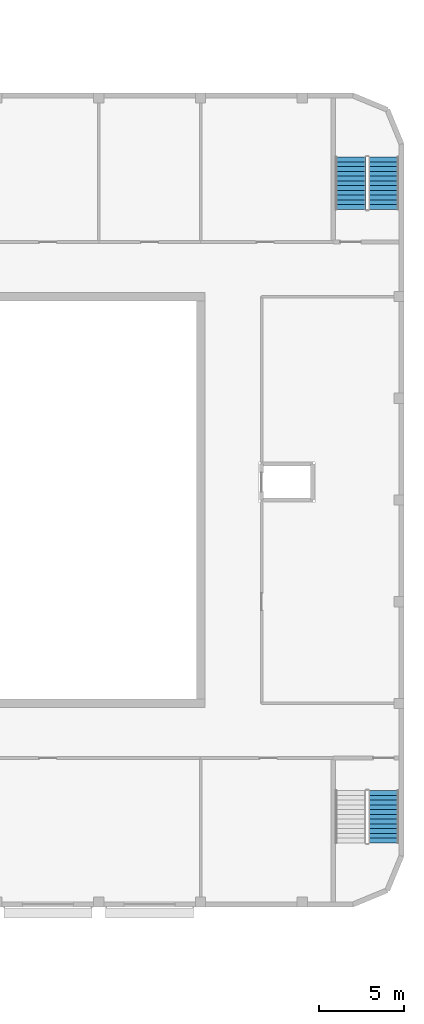
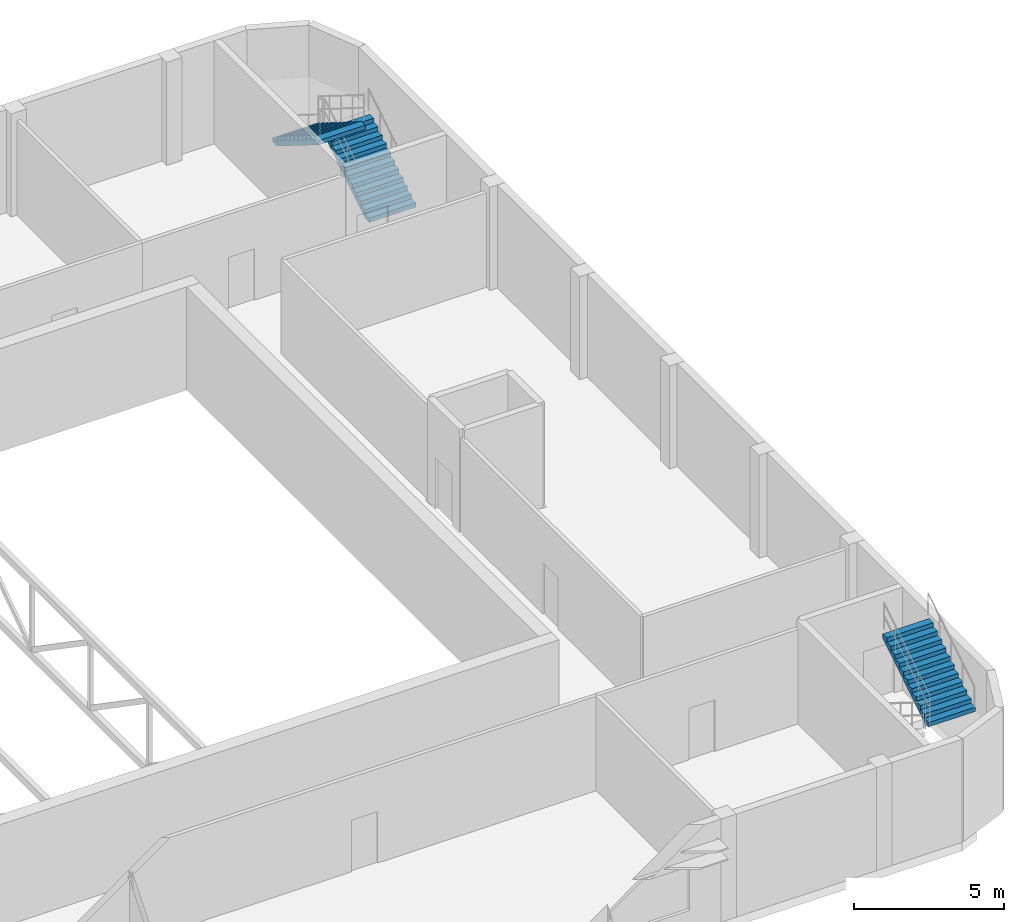
# One storey, part 32 of 47: 3 stair flights, 2 elements without a shape of their own.
"""IFC4 building model written with IfcOpenShell, lengths in metres."""

from ifc_helpers import new_model, si_unit, direction, frame, origin, place, context, subcontext, project, spatial, polyline, outline, extrude, material, type_object, element, aggregate, save


model = new_model("IFC4")

# Units and contexts
model_context = context("Model", 3, precision=1e-05, world=origin(), true_north=direction((0.0, 1.0)))
body_context = subcontext(model_context, "Body", "Model", "MODEL_VIEW")
ifc_project = project(units=[si_unit("LENGTHUNIT", "METRE"), si_unit("AREAUNIT", "SQUARE_METRE"), si_unit("VOLUMEUNIT", "CUBIC_METRE"), si_unit("PLANEANGLEUNIT", "RADIAN"), si_unit("MASSUNIT", "GRAM", prefix="KILO")], contexts=[model_context])

# Site, building, storey
site_placement = place(None, origin())
site = spatial("IfcSite", under=ifc_project, at=site_placement, CompositionType="ELEMENT")
building_placement = place(site_placement, origin())
building = spatial("IfcBuilding", under=site, at=building_placement, Name="Nakaniwa Court", CompositionType="ELEMENT")
storey_placement = place(building_placement, frame((0.0, 0.0, 15.60009765625)))
storey = spatial("IfcBuildingStorey", under=building, at=storey_placement, Name="L03", CompositionType="ELEMENT", Elevation=15.60009765625)

# Stair, stair flight
ifc_material = material(Name="Concrete C40/50", Category="concrete")
stair_type = type_object("IfcStairType", Name="Hall exit stair 24 risers", PredefinedType="HALF_TURN_STAIR", material=ifc_material)
stair_1_placement = place(storey_placement, origin())
stair_1 = element("IfcStair", 1, at=stair_1_placement, inside=storey, type_object=stair_type, Name="L03 Exit stair 3", PredefinedType="HALF_TURN_STAIR")
stair_flight_type = type_object("IfcStairFlightType", Name="Hall stair flight 12 risers", PredefinedType="STRAIGHT", material=ifc_material)
stair_flight_1_placement = place(storey_placement, frame((216.800048828125, 59.780029296875, 2.099853515625), z_axis=(0.0, 0.0, 1.0), x_axis=(0.0, 1.0, 0.0)))
stair_flight_1 = element("IfcStairFlight", 2, at=stair_flight_1_placement, type_object=stair_flight_type, Name="ST-H3 flight 2", NumberOfRisers=12, NumberOfTreads=11, PredefinedType="STRAIGHT", RiserHeight=0.175, TreadLength=0.28, context=body_context, shape_type="SweptSolid", body=[
    extrude(outline(polyline([(0.0, 0.0), (0.0, 0.02490234375), (0.0, 0.050048828125), (0.0, 0.074951171875), (0.0, 0.10009765625), (0.0, 0.125), (0.0, 0.14990234375), (0.0, 0.175048828125), (0.280029296875, 0.175048828125), (0.280029296875, 0.35009765625), (0.56005859375, 0.35009765625), (0.56005859375, 0.52490234375), (0.840087890625, 0.52490234375), (0.840087890625, 0.699951171875), (1.1201171875, 0.699951171875), (1.1201171875, 0.875), (1.39990234375, 0.875), (1.39990234375, 1.050048828125), (1.679931640625, 1.050048828125), (1.679931640625, 1.22509765625), (1.9599609375, 1.22509765625), (1.9599609375, 1.39990234375), (2.239990234375, 1.39990234375), (2.239990234375, 1.574951171875), (2.52001953125, 1.574951171875), (2.52001953125, 1.75), (2.800048828125, 1.75), (2.800048828125, 1.925048828125), (3.080078125, 1.925048828125), (3.080078125, 2.10009765625), (3.080078125, 2.0498046875), (3.080078125, 1.99951171875), (3.080078125, 1.94921875), (3.080078125, 1.89892578125), (3.080078125, 1.8486328125), (3.080078125, 1.798583984375), (3.080078125, 1.748291015625), (0.28271484375, 0.0), (0.0, 0.0)])), frame((0.0, 0.89990234375, 0.0), z_axis=(0.0, -1.0, 0.0), x_axis=(1.0, 0.0, 0.0)), (0.0, 0.0, 1.0), 1.800048828125),
])
aggregate(stair_1, [stair_flight_1])

# Stair, stair flights
stair_2_placement = place(storey_placement, origin())
stair_2 = element("IfcStair", 3, at=stair_2_placement, inside=storey, type_object=stair_type, Name="L03 Exit stair 4", PredefinedType="HALF_TURN_STAIR")
stair_flight_2_placement = place(storey_placement, frame((216.800048828125, 97.139892578125, 0.0), z_axis=(0.0, 0.0, 1.0), x_axis=(0.0, 1.0, 0.0)))
stair_flight_2 = element("IfcStairFlight", 4, at=stair_flight_2_placement, type_object=stair_flight_type, Name="ST-H4 flight 1", NumberOfRisers=12, NumberOfTreads=11, PredefinedType="STRAIGHT", RiserHeight=0.175, TreadLength=0.28, context=body_context, shape_type="SweptSolid", body=[
    extrude(outline(polyline([(0.0, 0.0), (0.0, 0.02490234375), (0.0, 0.050048828125), (0.0, 0.074951171875), (0.0, 0.10009765625), (0.0, 0.125), (0.0, 0.14990234375), (0.0, 0.175048828125), (0.280029296875, 0.175048828125), (0.280029296875, 0.35009765625), (0.56005859375, 0.35009765625), (0.56005859375, 0.52490234375), (0.840087890625, 0.52490234375), (0.840087890625, 0.699951171875), (1.1201171875, 0.699951171875), (1.1201171875, 0.875), (1.39990234375, 0.875), (1.39990234375, 1.050048828125), (1.679931640625, 1.050048828125), (1.679931640625, 1.22509765625), (1.9599609375, 1.22509765625), (1.9599609375, 1.39990234375), (2.239990234375, 1.39990234375), (2.239990234375, 1.574951171875), (2.52001953125, 1.574951171875), (2.52001953125, 1.75), (2.800048828125, 1.75), (2.800048828125, 1.925048828125), (3.080078125, 1.925048828125), (3.080078125, 2.10009765625), (3.080078125, 2.0498046875), (3.080078125, 1.99951171875), (3.080078125, 1.94921875), (3.080078125, 1.89892578125), (3.080078125, 1.8486328125), (3.080078125, 1.798583984375), (3.080078125, 1.748291015625), (0.28271484375, 0.0), (0.0, 0.0)])), frame((0.0, 0.89990234375, 0.0), z_axis=(0.0, -1.0, 0.0), x_axis=(1.0, 0.0, 0.0)), (0.0, 0.0, 1.0), 1.800048828125),
])
stair_flight_3_placement = place(storey_placement, frame((214.85009765625, 100.219970703125, 2.099853515625), z_axis=(0.0, 0.0, 1.0), x_axis=(0.0, -1.0, 0.0)))
stair_flight_3 = element("IfcStairFlight", 5, at=stair_flight_3_placement, type_object=stair_flight_type, Name="ST-H4 flight 2", NumberOfRisers=12, NumberOfTreads=11, PredefinedType="STRAIGHT", RiserHeight=0.175, TreadLength=0.28, context=body_context, shape_type="SweptSolid", body=[
    extrude(outline(polyline([(0.0, 0.0), (0.0, 0.02490234375), (0.0, 0.050048828125), (0.0, 0.074951171875), (0.0, 0.10009765625), (0.0, 0.125), (0.0, 0.14990234375), (0.0, 0.175048828125), (0.280029296875, 0.175048828125), (0.280029296875, 0.35009765625), (0.56005859375, 0.35009765625), (0.56005859375, 0.52490234375), (0.840087890625, 0.52490234375), (0.840087890625, 0.699951171875), (1.1201171875, 0.699951171875), (1.1201171875, 0.875), (1.39990234375, 0.875), (1.39990234375, 1.050048828125), (1.679931640625, 1.050048828125), (1.679931640625, 1.22509765625), (1.9599609375, 1.22509765625), (1.9599609375, 1.39990234375), (2.239990234375, 1.39990234375), (2.239990234375, 1.574951171875), (2.52001953125, 1.574951171875), (2.52001953125, 1.75), (2.800048828125, 1.75), (2.800048828125, 1.925048828125), (3.080078125, 1.925048828125), (3.080078125, 2.10009765625), (3.080078125, 2.0498046875), (3.080078125, 1.99951171875), (3.080078125, 1.94921875), (3.080078125, 1.89892578125), (3.080078125, 1.8486328125), (3.080078125, 1.798583984375), (3.080078125, 1.748291015625), (0.28271484375, 0.0), (0.0, 0.0)])), frame((0.0, 0.89990234375, 0.0), z_axis=(0.0, -1.0, 0.0), x_axis=(1.0, 0.0, 0.0)), (0.0, 0.0, 1.0), 1.800048828125),
])
aggregate(stair_2, [stair_flight_2, stair_flight_3])

save(model, "model.ifc")
